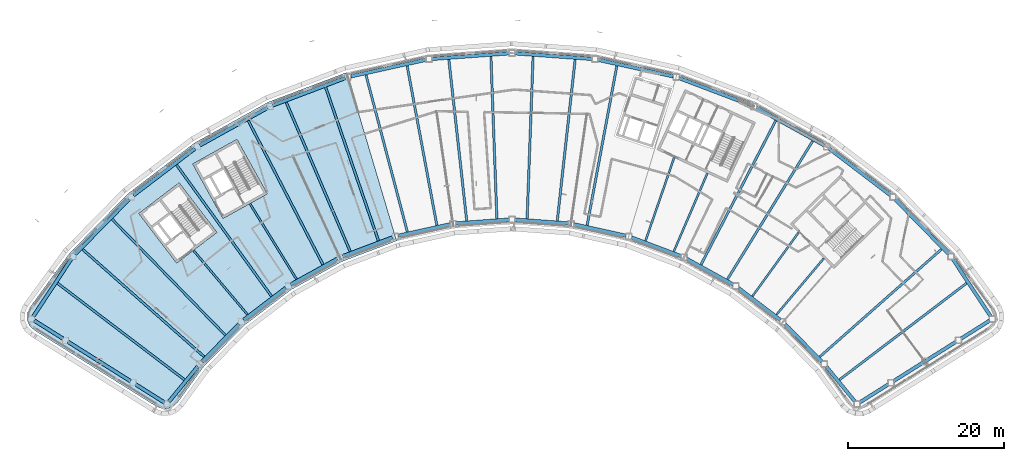
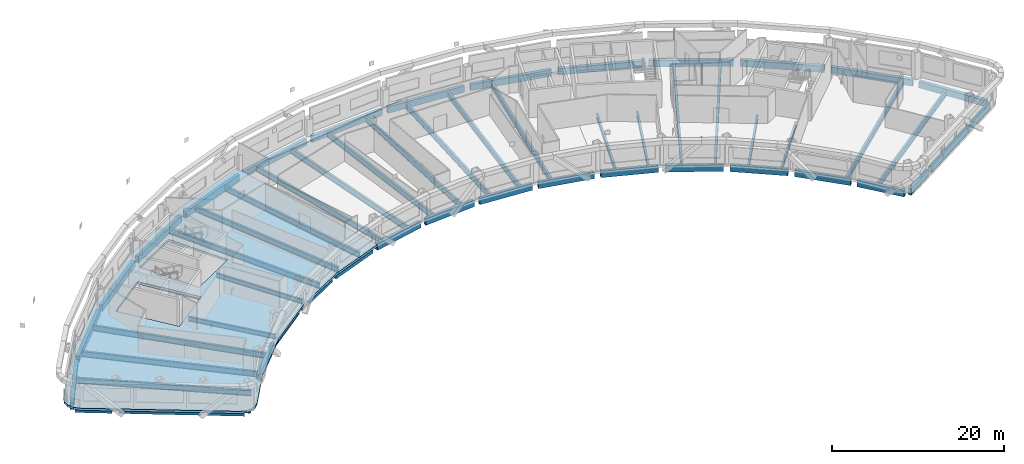
# One storey, part 3 of 21: 58 beams, 1 slab.
"""IFC4 building model written with IfcOpenShell, lengths in metres."""

from ifc_helpers import new_model, si_unit, direction, frame, origin, origin_2d, place, context, subcontext, project, spatial, polyline, hollow_rectangle, i_section, outline, extrude, material, layer, layer_set, material_profile, profile_set, type_object, element, save


model = new_model("IFC4")

# Units and contexts
model_context = context("Model", 3, precision=1e-05, world=origin(), true_north=direction((0.0, 1.0)))
body_context = subcontext(model_context, "Body", "Model", "MODEL_VIEW")
ifc_project = project(units=[si_unit("LENGTHUNIT", "METRE"), si_unit("AREAUNIT", "SQUARE_METRE"), si_unit("VOLUMEUNIT", "CUBIC_METRE"), si_unit("PLANEANGLEUNIT", "RADIAN"), si_unit("MASSUNIT", "GRAM", prefix="KILO")], contexts=[model_context])

# Site, building, storey
site_placement = place(None, origin())
site = spatial("IfcSite", under=ifc_project, at=site_placement, CompositionType="ELEMENT")
building_placement = place(site_placement, origin())
building = spatial("IfcBuilding", under=site, at=building_placement, Name="Tuul Gate Civic Tower", CompositionType="ELEMENT")
storey_placement = place(building_placement, frame((0.0, 0.0, 311.0)))
storey = spatial("IfcBuildingStorey", under=building, at=storey_placement, Name="Level 70", CompositionType="ELEMENT", Elevation=311.0)

# Beams
ifc_material_1 = material(Name="Steel S355", Category="steel")
ifc_material_profile_1 = material_profile(ifc_material_1, i_section(OverallWidth=0.25, OverallDepth=0.64990234375, WebThickness=0.011962890625, FlangeThickness=0.02001953125, at=origin_2d()), Name="PG650x250x12x20")
ifc_profile_set_1 = profile_set([ifc_material_profile_1], Name="Steel S355")
beam_type_1 = type_object("IfcBeamType", Name="STR-FLOOR BEAM-PG650x250x12x20", PredefinedType="BEAM", material=ifc_profile_set_1)
beam_1_placement = place(storey_placement, frame((40.746337890625, -24.341064453125, -0.625), z_axis=(0.644127784209, 0.764917902529, 0.0), x_axis=(-0.764917902529, 0.644127784209, 0.0)))
element("IfcBeam", 1, at=beam_1_placement, inside=storey, type_object=beam_type_1, Name="Floor beam", PredefinedType="BEAM", context=body_context, shape_type="SweptSolid", body=[
    extrude(i_section(OverallWidth=0.25, OverallDepth=0.64990234375, WebThickness=0.011962890625, FlangeThickness=0.02001953125, at=origin_2d()), origin(), (0.0, 0.0, 1.0), 9.443115234375),
])
beam_2_placement = place(storey_placement, frame((37.658203125, -21.989501953125, -0.625), z_axis=(0.586069159859, 0.810261031929, 0.0), x_axis=(-0.810261031929, 0.586069159859, 0.0)))
element("IfcBeam", 2, at=beam_2_placement, inside=storey, type_object=beam_type_1, Name="Floor beam", PredefinedType="BEAM", context=body_context, shape_type="SweptSolid", body=[
    extrude(i_section(OverallWidth=0.25, OverallDepth=0.64990234375, WebThickness=0.011962890625, FlangeThickness=0.02001953125, at=origin_2d()), origin(), (0.0, 0.0, 1.0), 10.103515625),
])
beam_3_placement = place(storey_placement, frame((27.564697265625, -16.229248046875, -0.625), z_axis=(0.394202182467, 0.919023742532, 0.0), x_axis=(-0.919023742532, 0.394202182467, 0.0)))
element("IfcBeam", 3, at=beam_3_placement, inside=storey, type_object=beam_type_1, Name="Floor beam", PredefinedType="BEAM", context=body_context, shape_type="SweptSolid", body=[
    extrude(i_section(OverallWidth=0.25, OverallDepth=0.64990234375, WebThickness=0.011962890625, FlangeThickness=0.02001953125, at=origin_2d()), origin(), (0.0, 0.0, 1.0), 10.93603515625),
])
beam_4_placement = place(storey_placement, frame((23.934326171875, -14.856689453125, -0.625), z_axis=(0.325475834629, 0.945550358824, 0.0), x_axis=(-0.945550358824, 0.325475834629, 0.0)))
element("IfcBeam", 4, at=beam_4_placement, inside=storey, type_object=beam_type_1, Name="Floor beam", PredefinedType="BEAM", context=body_context, shape_type="SweptSolid", body=[
    extrude(i_section(OverallWidth=0.25, OverallDepth=0.64990234375, WebThickness=0.011962890625, FlangeThickness=0.02001953125, at=origin_2d()), origin(), (0.0, 0.0, 1.0), 11.282958984375),
])
beam_5_placement = place(storey_placement, frame((-20.8779296875, -19.798828125, -0.625), z_axis=(-0.524859776805, 0.851188706864, 0.0), x_axis=(-0.851188706864, -0.524859776805, 0.0)))
element("IfcBeam", 5, at=beam_5_placement, inside=storey, type_object=beam_type_1, Name="Floor beam", PredefinedType="BEAM", context=body_context, shape_type="SweptSolid", body=[
    extrude(i_section(OverallWidth=0.25, OverallDepth=0.64990234375, WebThickness=0.011962890625, FlangeThickness=0.02001953125, at=origin_2d()), origin(), (0.0, 0.0, 1.0), 11.414306640625),
])
beam_6_placement = place(storey_placement, frame((-27.170166015625, -24.341064453125, -0.625), z_axis=(-0.644139926709, 0.764907677318, 0.0), x_axis=(-0.764907677318, -0.644139926709, 0.0)))
element("IfcBeam", 6, at=beam_6_placement, inside=storey, type_object=beam_type_1, Name="Floor beam", PredefinedType="BEAM", context=body_context, shape_type="SweptSolid", body=[
    extrude(i_section(OverallWidth=0.25, OverallDepth=0.64990234375, WebThickness=0.011962890625, FlangeThickness=0.02001953125, at=origin_2d()), origin(), (0.0, 0.0, 1.0), 10.7890625),
])
ifc_material_2 = material(Name="Steel S355", Category="steel")
ifc_material_profile_2 = material_profile(ifc_material_2, i_section(OverallWidth=0.300048828125, OverallDepth=0.800048828125, WebThickness=0.013916015625, FlangeThickness=0.02490234375, at=origin_2d()), Name="PG800x300x14x25")
ifc_profile_set_2 = profile_set([ifc_material_profile_2], Name="Steel S355")
beam_type_2 = type_object("IfcBeamType", Name="STR-FLOOR BEAM-PG800x300x14x25", PredefinedType="BEAM", material=ifc_profile_set_2)
beam_7_placement = place(storey_placement, frame((48.8427734375, -32.703857421875, -0.699951171875), z_axis=(0.796156676215, 0.60509052787, 0.0), x_axis=(-0.60509052787, 0.796156676215, 0.0)))
element("IfcBeam", 7, at=beam_7_placement, inside=storey, type_object=beam_type_2, Name="Floor beam", PredefinedType="BEAM", context=body_context, shape_type="SweptSolid", body=[
    extrude(i_section(OverallWidth=0.300048828125, OverallDepth=0.800048828125, WebThickness=0.013916015625, FlangeThickness=0.02490234375, at=origin_2d()), origin(), (0.0, 0.0, 1.0), 20.46240234375),
])
beam_8_placement = place(storey_placement, frame((46.3037109375, -29.759033203125, -0.699951171875), z_axis=(0.749453243269, 0.662057275584, 0.0), x_axis=(-0.662057275584, 0.749453243269, 0.0)))
element("IfcBeam", 8, at=beam_8_placement, inside=storey, type_object=beam_type_2, Name="Floor beam", PredefinedType="BEAM", context=body_context, shape_type="SweptSolid", body=[
    extrude(i_section(OverallWidth=0.300048828125, OverallDepth=0.800048828125, WebThickness=0.013916015625, FlangeThickness=0.02490234375, at=origin_2d()), origin(), (0.0, 0.0, 1.0), 20.828369140625),
])
beam_9_placement = place(storey_placement, frame((34.45458984375, -19.79833984375, -0.699951171875), z_axis=(0.524850193008, 0.851194616348, 0.0), x_axis=(-0.851194616348, 0.524850193008, 0.0)))
element("IfcBeam", 9, at=beam_9_placement, inside=storey, type_object=beam_type_2, Name="Floor beam", PredefinedType="BEAM", context=body_context, shape_type="SweptSolid", body=[
    extrude(i_section(OverallWidth=0.300048828125, OverallDepth=0.800048828125, WebThickness=0.013916015625, FlangeThickness=0.02490234375, at=origin_2d()), origin(), (0.0, 0.0, 1.0), 20.822021484375),
])
beam_10_placement = place(storey_placement, frame((31.0595703125, -17.9169921875, -0.699951171875), z_axis=(0.460777059353, 0.887515916237, 0.0), x_axis=(-0.887515916237, 0.460777059353, 0.0)))
element("IfcBeam", 10, at=beam_10_placement, inside=storey, type_object=beam_type_2, Name="Floor beam", PredefinedType="BEAM", context=body_context, shape_type="SweptSolid", body=[
    extrude(i_section(OverallWidth=0.300048828125, OverallDepth=0.800048828125, WebThickness=0.013916015625, FlangeThickness=0.02490234375, at=origin_2d()), origin(), (0.0, 0.0, 1.0), 20.8076171875),
])
beam_11_placement = place(storey_placement, frame((16.4365234375, -12.874755859375, -0.699951171875), z_axis=(0.183145230157, 0.983085868412, 0.0), x_axis=(-0.983085868412, 0.183145230157, 0.0)))
element("IfcBeam", 11, at=beam_11_placement, inside=storey, type_object=beam_type_2, Name="Floor beam", PredefinedType="BEAM", context=body_context, shape_type="SweptSolid", body=[
    extrude(i_section(OverallWidth=0.300048828125, OverallDepth=0.800048828125, WebThickness=0.013916015625, FlangeThickness=0.02490234375, at=origin_2d()), origin(), (0.0, 0.0, 1.0), 20.8115234375),
])
beam_12_placement = place(storey_placement, frame((12.599365234375, -12.294677734375, -0.699951171875), z_axis=(0.110286058964, 0.993899886909, 0.0), x_axis=(-0.993899886909, 0.110286058964, 0.0)))
element("IfcBeam", 12, at=beam_12_placement, inside=storey, type_object=beam_type_2, Name="Floor beam", PredefinedType="BEAM", context=body_context, shape_type="SweptSolid", body=[
    extrude(i_section(OverallWidth=0.300048828125, OverallDepth=0.800048828125, WebThickness=0.013916015625, FlangeThickness=0.02490234375, at=origin_2d()), origin(), (0.0, 0.0, 1.0), 20.8154296875),
])
beam_13_placement = place(storey_placement, frame((8.728515625, -12.01416015625, -0.699951171875), z_axis=(0.036832047042, 0.999321469954, 0.0), x_axis=(-0.999321469954, 0.036832047042, 0.0)))
element("IfcBeam", 13, at=beam_13_placement, inside=storey, type_object=beam_type_2, Name="Floor beam", PredefinedType="BEAM", context=body_context, shape_type="SweptSolid", body=[
    extrude(i_section(OverallWidth=0.300048828125, OverallDepth=0.800048828125, WebThickness=0.013916015625, FlangeThickness=0.02490234375, at=origin_2d()), origin(), (0.0, 0.0, 1.0), 20.8134765625),
])
beam_14_placement = place(storey_placement, frame((4.84765625, -12.013916015625, -0.699951171875), z_axis=(-0.036820764609, 0.999321885727, 0.0), x_axis=(-0.999321885727, -0.036820764609, 0.0)))
element("IfcBeam", 14, at=beam_14_placement, inside=storey, type_object=beam_type_2, Name="Floor beam", PredefinedType="BEAM", context=body_context, shape_type="SweptSolid", body=[
    extrude(i_section(OverallWidth=0.300048828125, OverallDepth=0.800048828125, WebThickness=0.013916015625, FlangeThickness=0.02490234375, at=origin_2d()), origin(), (0.0, 0.0, 1.0), 20.813232421875),
])
beam_15_placement = place(storey_placement, frame((0.976806640625, -12.294677734375, -0.699951171875), z_axis=(-0.110287344613, 0.993899744249, 0.0), x_axis=(-0.993899744249, -0.110287344613, 0.0)))
element("IfcBeam", 15, at=beam_15_placement, inside=storey, type_object=beam_type_2, Name="Floor beam", PredefinedType="BEAM", context=body_context, shape_type="SweptSolid", body=[
    extrude(i_section(OverallWidth=0.300048828125, OverallDepth=0.800048828125, WebThickness=0.013916015625, FlangeThickness=0.02490234375, at=origin_2d()), origin(), (0.0, 0.0, 1.0), 20.815185546875),
])
beam_16_placement = place(storey_placement, frame((-2.8603515625, -12.87451171875, -0.699951171875), z_axis=(-0.183149454547, 0.983085081414, 0.0), x_axis=(-0.983085081414, -0.183149454547, 0.0)))
element("IfcBeam", 16, at=beam_16_placement, inside=storey, type_object=beam_type_2, Name="Floor beam", PredefinedType="BEAM", context=body_context, shape_type="SweptSolid", body=[
    extrude(i_section(OverallWidth=0.300048828125, OverallDepth=0.800048828125, WebThickness=0.013916015625, FlangeThickness=0.02490234375, at=origin_2d()), origin(), (0.0, 0.0, 1.0), 20.81103515625),
])
beam_17_placement = place(storey_placement, frame((-6.650390625, -13.7099609375, -0.699951171875), z_axis=(-0.255007612054, 0.966939045542, 0.0), x_axis=(-0.966939045542, -0.255007612054, 0.0)))
element("IfcBeam", 17, at=beam_17_placement, inside=storey, type_object=beam_type_2, Name="Floor beam", PredefinedType="BEAM", context=body_context, shape_type="SweptSolid", body=[
    extrude(i_section(OverallWidth=0.300048828125, OverallDepth=0.800048828125, WebThickness=0.013916015625, FlangeThickness=0.02490234375, at=origin_2d()), origin(), (0.0, 0.0, 1.0), 20.8173828125),
])
beam_18_placement = place(storey_placement, frame((-10.358154296875, -14.856689453125, -0.699951171875), z_axis=(-0.325486974479, 0.945546524209, 0.0), x_axis=(-0.945546524209, -0.325486974479, 0.0)))
element("IfcBeam", 18, at=beam_18_placement, inside=storey, type_object=beam_type_2, Name="Floor beam", PredefinedType="BEAM", context=body_context, shape_type="SweptSolid", body=[
    extrude(i_section(OverallWidth=0.300048828125, OverallDepth=0.800048828125, WebThickness=0.013916015625, FlangeThickness=0.02490234375, at=origin_2d()), origin(), (0.0, 0.0, 1.0), 20.809326171875),
])
beam_19_placement = place(storey_placement, frame((-13.98828125, -16.2294921875, -0.699951171875), z_axis=(-0.39420232802, 0.9190236801, 0.0), x_axis=(-0.9190236801, -0.39420232802, 0.0)))
element("IfcBeam", 19, at=beam_19_placement, inside=storey, type_object=beam_type_2, Name="Floor beam", PredefinedType="BEAM", context=body_context, shape_type="SweptSolid", body=[
    extrude(i_section(OverallWidth=0.300048828125, OverallDepth=0.800048828125, WebThickness=0.013916015625, FlangeThickness=0.02490234375, at=origin_2d()), origin(), (0.0, 0.0, 1.0), 20.820068359375),
])
beam_20_placement = place(storey_placement, frame((-17.483154296875, -17.917236328125, -0.699951171875), z_axis=(-0.460781503105, 0.887513609133, 0.0), x_axis=(-0.887513609133, -0.460781503105, 0.0)))
element("IfcBeam", 20, at=beam_20_placement, inside=storey, type_object=beam_type_2, Name="Floor beam", PredefinedType="BEAM", context=body_context, shape_type="SweptSolid", body=[
    extrude(i_section(OverallWidth=0.300048828125, OverallDepth=0.800048828125, WebThickness=0.013916015625, FlangeThickness=0.02490234375, at=origin_2d()), origin(), (0.0, 0.0, 1.0), 20.807861328125),
])
beam_21_placement = place(storey_placement, frame((-24.081787109375, -21.98974609375, -0.699951171875), z_axis=(-0.586080778494, 0.810252627938, 0.0), x_axis=(-0.810252627938, -0.586080778494, 0.0)))
element("IfcBeam", 21, at=beam_21_placement, inside=storey, type_object=beam_type_2, Name="Floor beam", PredefinedType="BEAM", context=body_context, shape_type="SweptSolid", body=[
    extrude(i_section(OverallWidth=0.300048828125, OverallDepth=0.800048828125, WebThickness=0.013916015625, FlangeThickness=0.02490234375, at=origin_2d()), origin(), (0.0, 0.0, 1.0), 20.8056640625),
])
beam_22_placement = place(storey_placement, frame((-30.010498046875, -26.986572265625, -0.699951171875), z_axis=(-0.698690220921, 0.71542433226, 0.0), x_axis=(-0.71542433226, -0.698690220921, 0.0)))
element("IfcBeam", 22, at=beam_22_placement, inside=storey, type_object=beam_type_2, Name="Floor beam", PredefinedType="BEAM", context=body_context, shape_type="SweptSolid", body=[
    extrude(i_section(OverallWidth=0.300048828125, OverallDepth=0.800048828125, WebThickness=0.013916015625, FlangeThickness=0.02490234375, at=origin_2d()), origin(), (0.0, 0.0, 1.0), 20.804443359375),
])
beam_23_placement = place(storey_placement, frame((-32.7275390625, -29.759033203125, -0.699951171875), z_axis=(-0.749453243269, 0.662057275584, 0.0), x_axis=(-0.662057275584, -0.749453243269, 0.0)))
element("IfcBeam", 23, at=beam_23_placement, inside=storey, type_object=beam_type_2, Name="Floor beam", PredefinedType="BEAM", context=body_context, shape_type="SweptSolid", body=[
    extrude(i_section(OverallWidth=0.300048828125, OverallDepth=0.800048828125, WebThickness=0.013916015625, FlangeThickness=0.02490234375, at=origin_2d()), origin(), (0.0, 0.0, 1.0), 20.828369140625),
])
beam_24_placement = place(storey_placement, frame((-35.266845703125, -32.703857421875, -0.699951171875), z_axis=(-0.796146559843, 0.605103838403, 0.0), x_axis=(-0.605103838403, -0.796146559843, 0.0)))
element("IfcBeam", 24, at=beam_24_placement, inside=storey, type_object=beam_type_2, Name="Floor beam", PredefinedType="BEAM", context=body_context, shape_type="SweptSolid", body=[
    extrude(i_section(OverallWidth=0.300048828125, OverallDepth=0.800048828125, WebThickness=0.013916015625, FlangeThickness=0.02490234375, at=origin_2d()), origin(), (0.0, 0.0, 1.0), 20.46240234375),
])
ifc_material_3 = material(Name="Steel S355", Category="steel")
ifc_material_profile_3 = material_profile(ifc_material_3, hollow_rectangle(XDim=0.449951171875, YDim=0.89990234375, WallThickness=0.02490234375, at=origin_2d()), Name="BOX900x450x25")
ifc_profile_set_3 = profile_set([ifc_material_profile_3], Name="Steel S355")
beam_type_3 = type_object("IfcBeamType", Name="STR-SPANDREL BEAM-BOX900x450x25", PredefinedType="BEAM", material=ifc_profile_set_3)
beam_25_placement = place(storey_placement, frame((68.23828125, -24.5634765625, -0.75), z_axis=(-0.551580803008, 0.834121464628, 0.0), x_axis=(-0.834121464628, -0.551580803008, 0.0)))
element("IfcBeam", 25, at=beam_25_placement, inside=storey, type_object=beam_type_3, Name="Spandrel beam", PredefinedType="BEAM", context=body_context, shape_type="SweptSolid", body=[
    extrude(hollow_rectangle(XDim=0.449951171875, YDim=0.89990234375, WallThickness=0.02490234375, at=origin_2d()), origin(), (0.0, 0.0, 1.0), 8.806884765625),
])
for number, where, z_axis, x_axis, name in (
    (26, (62.8798828125, -16.598388671875, -0.75), (-0.699989605726, 0.714153031132, 0.0), (-0.714153031132, -0.699989605726, 0.0), "Spandrel beam"),
    (27, (55.36767578125, -9.0166015625, -0.75), (-0.795624601098, 0.605789975261, 0.0), (-0.605789975261, -0.795624601098, 0.0), "Spandrel beam"),
):
    element("IfcBeam", number, at=place(storey_placement, frame(where, z_axis=z_axis, x_axis=x_axis)), inside=storey, type_object=beam_type_3, Name=name, PredefinedType="BEAM", context=body_context, shape_type="SweptSolid", body=[
        extrude(hollow_rectangle(XDim=0.449951171875, YDim=0.89990234375, WallThickness=0.02490234375, at=origin_2d()), origin(), (0.0, 0.0, 1.0), 9.876953125),
    ])
beam_26_placement = place(storey_placement, frame((46.841064453125, -2.59716796875, -0.75), z_axis=(-0.874638363012, 0.484775962634, 0.0), x_axis=(-0.484775962634, -0.874638363012, 0.0)))
element("IfcBeam", 28, at=beam_26_placement, inside=storey, type_object=beam_type_3, Name="Spandrel beam", PredefinedType="BEAM", context=body_context, shape_type="SweptSolid", body=[
    extrude(hollow_rectangle(XDim=0.449951171875, YDim=0.89990234375, WallThickness=0.02490234375, at=origin_2d()), origin(), (0.0, 0.0, 1.0), 9.87744140625),
])
for number, where, z_axis, x_axis, name in (
    (29, (37.477783203125, 2.526611328125, -0.75), (-0.935345282805, 0.353736062531, 0.0), (-0.353736062531, -0.935345282805, 0.0), "Spandrel beam"),
    (30, (27.474365234375, 6.248046875, -0.75), (-0.976561301206, 0.21523945964, 0.0), (-0.21523945964, -0.976561301206, 0.0), "Spandrel beam"),
):
    element("IfcBeam", number, at=place(storey_placement, frame(where, z_axis=z_axis, x_axis=x_axis)), inside=storey, type_object=beam_type_3, Name=name, PredefinedType="BEAM", context=body_context, shape_type="SweptSolid", body=[
        extrude(hollow_rectangle(XDim=0.449951171875, YDim=0.89990234375, WallThickness=0.02490234375, at=origin_2d()), origin(), (0.0, 0.0, 1.0), 9.877197265625),
    ])
beam_27_placement = place(storey_placement, frame((17.0390625, 8.489013671875, -0.75), z_axis=(-0.997383375636, 0.072293858694, 0.0), x_axis=(-0.072293858694, -0.997383375636, 0.0)))
element("IfcBeam", 31, at=beam_27_placement, inside=storey, type_object=beam_type_3, Name="Spandrel beam", PredefinedType="BEAM", context=body_context, shape_type="SweptSolid", body=[
    extrude(hollow_rectangle(XDim=0.449951171875, YDim=0.89990234375, WallThickness=0.02490234375, at=origin_2d()), origin(), (0.0, 0.0, 1.0), 9.8779296875),
])
for number, where, z_axis, x_axis, name in (
    (32, (6.38916015625, 9.203125, -0.75), (-0.997382988068, -0.072299205474, 0.0), (0.072299205474, -0.997382988068, 0.0), "Spandrel beam"),
    (33, (-4.251708984375, 8.3740234375, -0.75), (-0.976561301206, -0.21523945964, 0.0), (0.21523945964, -0.976561301206, 0.0), "Spandrel beam"),
):
    element("IfcBeam", number, at=place(storey_placement, frame(where, z_axis=z_axis, x_axis=x_axis)), inside=storey, type_object=beam_type_3, Name=name, PredefinedType="BEAM", context=body_context, shape_type="SweptSolid", body=[
        extrude(hollow_rectangle(XDim=0.449951171875, YDim=0.89990234375, WallThickness=0.02490234375, at=origin_2d()), origin(), (0.0, 0.0, 1.0), 9.877197265625),
    ])
beam_28_placement = place(storey_placement, frame((-14.662109375, 6.0205078125, -0.75), z_axis=(-0.935352568022, -0.353716798434, 0.0), x_axis=(0.353716798434, -0.935352568022, 0.0)))
element("IfcBeam", 34, at=beam_28_placement, inside=storey, type_object=beam_type_3, Name="Spandrel beam", PredefinedType="BEAM", context=body_context, shape_type="SweptSolid", body=[
    extrude(hollow_rectangle(XDim=0.449951171875, YDim=0.89990234375, WallThickness=0.02490234375, at=origin_2d()), origin(), (0.0, 0.0, 1.0), 9.87841796875),
])
beam_29_placement = place(storey_placement, frame((-24.625732421875, 2.191162109375, -0.75), z_axis=(-0.874620935206, -0.484807404748, 0.0), x_axis=(0.484807404748, -0.874620935206, 0.0)))
element("IfcBeam", 35, at=beam_29_placement, inside=storey, type_object=beam_type_3, Name="Spandrel beam", PredefinedType="BEAM", context=body_context, shape_type="SweptSolid", body=[
    extrude(hollow_rectangle(XDim=0.449951171875, YDim=0.89990234375, WallThickness=0.02490234375, at=origin_2d()), origin(), (0.0, 0.0, 1.0), 9.876708984375),
])
beam_30_placement = place(storey_placement, frame((-33.932373046875, -3.033203125, -0.75), z_axis=(-0.795624601098, -0.605789975261, 0.0), x_axis=(0.605789975261, -0.795624601098, 0.0)))
element("IfcBeam", 36, at=beam_30_placement, inside=storey, type_object=beam_type_3, Name="Spandrel beam", PredefinedType="BEAM", context=body_context, shape_type="SweptSolid", body=[
    extrude(hollow_rectangle(XDim=0.449951171875, YDim=0.89990234375, WallThickness=0.02490234375, at=origin_2d()), origin(), (0.0, 0.0, 1.0), 9.876953125),
])
beam_31_placement = place(storey_placement, frame((-42.388916015625, -9.544677734375, -0.75), z_axis=(-0.700052630296, -0.714091251042, 0.0), x_axis=(0.714091251042, -0.700052630296, 0.0)))
element("IfcBeam", 37, at=beam_31_placement, inside=storey, type_object=beam_type_3, Name="Spandrel beam", PredefinedType="BEAM", context=body_context, shape_type="SweptSolid", body=[
    extrude(hollow_rectangle(XDim=0.449951171875, YDim=0.89990234375, WallThickness=0.02490234375, at=origin_2d()), origin(), (0.0, 0.0, 1.0), 9.8779296875),
])
beam_32_placement = place(storey_placement, frame((-49.8046875, -17.217529296875, -0.75), z_axis=(-0.551580803008, -0.834121464628, 0.0), x_axis=(0.834121464628, -0.551580803008, 0.0)))
element("IfcBeam", 38, at=beam_32_placement, inside=storey, type_object=beam_type_3, Name="Spandrel beam", PredefinedType="BEAM", context=body_context, shape_type="SweptSolid", body=[
    extrude(hollow_rectangle(XDim=0.449951171875, YDim=0.89990234375, WallThickness=0.02490234375, at=origin_2d()), origin(), (0.0, 0.0, 1.0), 8.806884765625),
])
beam_33_placement = place(storey_placement, frame((-54.54443359375, -25.110107421875, -0.75), z_axis=(0.846271424817, -0.532751983138, 0.0), x_axis=(0.532751983138, 0.846271424817, 0.0)))
element("IfcBeam", 39, at=beam_33_placement, inside=storey, type_object=beam_type_3, Name="Spandrel beam", PredefinedType="BEAM", context=body_context, shape_type="SweptSolid", body=[
    extrude(hollow_rectangle(XDim=0.449951171875, YDim=0.89990234375, WallThickness=0.02490234375, at=origin_2d()), origin(), (0.0, 0.0, 1.0), 4.33203125),
])
beam_34_placement = place(storey_placement, frame((-50.201416015625, -27.84423828125, -0.75), z_axis=(0.84620354352, -0.532859796695, 0.0), x_axis=(0.532859796695, 0.84620354352, 0.0)))
element("IfcBeam", 40, at=beam_34_placement, inside=storey, type_object=beam_type_3, Name="Spandrel beam", PredefinedType="BEAM", context=body_context, shape_type="SweptSolid", body=[
    extrude(hollow_rectangle(XDim=0.449951171875, YDim=0.89990234375, WallThickness=0.02490234375, at=origin_2d()), origin(), (0.0, 0.0, 1.0), 9.463623046875),
])
beam_35_placement = place(storey_placement, frame((-41.5166015625, -33.313232421875, -0.75), z_axis=(0.84613117079, -0.532974710298, 0.0), x_axis=(0.532974710298, 0.84613117079, 0.0)))
element("IfcBeam", 41, at=beam_35_placement, inside=storey, type_object=beam_type_3, Name="Spandrel beam", PredefinedType="BEAM", context=body_context, shape_type="SweptSolid", body=[
    extrude(hollow_rectangle(XDim=0.449951171875, YDim=0.89990234375, WallThickness=0.02490234375, at=origin_2d()), origin(), (0.0, 0.0, 1.0), 4.33154296875),
])
beam_36_placement = place(storey_placement, frame((-37.25927734375, -35.52587890625, -0.75), z_axis=(0.63438437654, 0.773017763574, 0.0), x_axis=(-0.773017763574, 0.63438437654, 0.0)))
element("IfcBeam", 42, at=beam_36_placement, inside=storey, type_object=beam_type_3, Name="Spandrel beam", PredefinedType="BEAM", context=body_context, shape_type="SweptSolid", body=[
    extrude(hollow_rectangle(XDim=0.449951171875, YDim=0.89990234375, WallThickness=0.02490234375, at=origin_2d()), origin(), (0.0, 0.0, 1.0), 5.85205078125),
])
beam_37_placement = place(storey_placement, frame((-33.012939453125, -30.4072265625, -0.75), z_axis=(0.69995351943, 0.71418839996, 0.0), x_axis=(-0.71418839996, 0.69995351943, 0.0)))
element("IfcBeam", 43, at=beam_37_placement, inside=storey, type_object=beam_type_3, Name="Spandrel beam", PredefinedType="BEAM", context=body_context, shape_type="SweptSolid", body=[
    extrude(hollow_rectangle(XDim=0.449951171875, YDim=0.89990234375, WallThickness=0.02490234375, at=origin_2d()), origin(), (0.0, 0.0, 1.0), 6.791748046875),
])
beam_38_placement = place(storey_placement, frame((-27.66064453125, -25.02880859375, -0.75), z_axis=(0.795648671747, 0.605758360361, 0.0), x_axis=(-0.605758360361, 0.795648671747, 0.0)))
element("IfcBeam", 44, at=beam_38_placement, inside=storey, type_object=beam_type_3, Name="Spandrel beam", PredefinedType="BEAM", context=body_context, shape_type="SweptSolid", body=[
    extrude(hollow_rectangle(XDim=0.449951171875, YDim=0.89990234375, WallThickness=0.02490234375, at=origin_2d()), origin(), (0.0, 0.0, 1.0), 6.792236328125),
])
beam_39_placement = place(storey_placement, frame((-21.588134765625, -20.47802734375, -0.75), z_axis=(0.87464856826, 0.484757549751, 0.0), x_axis=(-0.484757549751, 0.87464856826, 0.0)))
element("IfcBeam", 45, at=beam_39_placement, inside=storey, type_object=beam_type_3, Name="Spandrel beam", PredefinedType="BEAM", context=body_context, shape_type="SweptSolid", body=[
    extrude(hollow_rectangle(XDim=0.449951171875, YDim=0.89990234375, WallThickness=0.02490234375, at=origin_2d()), origin(), (0.0, 0.0, 1.0), 6.79150390625),
])
beam_40_placement = place(storey_placement, frame((-14.923828125, -16.8505859375, -0.75), z_axis=(0.935348956807, 0.35372634762, 0.0), x_axis=(-0.35372634762, 0.935348956807, 0.0)))
element("IfcBeam", 46, at=beam_40_placement, inside=storey, type_object=beam_type_3, Name="Spandrel beam", PredefinedType="BEAM", context=body_context, shape_type="SweptSolid", body=[
    extrude(hollow_rectangle(XDim=0.449951171875, YDim=0.89990234375, WallThickness=0.02490234375, at=origin_2d()), origin(), (0.0, 0.0, 1.0), 6.790771484375),
])
for number, where, z_axis, x_axis, name in (
    (47, (-7.807373046875, -14.220947265625, -0.75), (0.976561119915, 0.215240282172, 0.0), (-0.215240282172, 0.976561119915, 0.0), "Spandrel beam"),
    (48, (-0.385009765625, -12.64404296875, -0.75), (0.997381302407, 0.072322455777, 0.0), (-0.072322455777, 0.997381302407, 0.0), "Spandrel beam"),
):
    element("IfcBeam", number, at=place(storey_placement, frame(where, z_axis=z_axis, x_axis=x_axis)), inside=storey, type_object=beam_type_3, Name=name, PredefinedType="BEAM", context=body_context, shape_type="SweptSolid", body=[
        extrude(hollow_rectangle(XDim=0.449951171875, YDim=0.89990234375, WallThickness=0.02490234375, at=origin_2d()), origin(), (0.0, 0.0, 1.0), 6.7919921875),
    ])
for number, where, z_axis, x_axis, name in (
    (49, (7.18701171875, -12.15283203125, -0.75), (0.997381114382, -0.072325048733, 0.0), (0.072325048733, 0.997381114382, 0.0), "Spandrel beam"),
    (50, (14.750732421875, -12.759033203125, -0.75), (0.976559454542, -0.215247837958, 0.0), (0.215247837958, 0.976559454542, 0.0), "Spandrel beam"),
):
    element("IfcBeam", number, at=place(storey_placement, frame(where, z_axis=z_axis, x_axis=x_axis)), inside=storey, type_object=beam_type_3, Name=name, PredefinedType="BEAM", context=body_context, shape_type="SweptSolid", body=[
        extrude(hollow_rectangle(XDim=0.449951171875, YDim=0.89990234375, WallThickness=0.02490234375, at=origin_2d()), origin(), (0.0, 0.0, 1.0), 6.791748046875),
    ])
for number, where, z_axis, x_axis, name in (
    (51, (22.148193359375, -14.448486328125, -0.75), (0.935362449754, -0.353690666531, 0.0), (0.353690666531, 0.935362449754, 0.0), "Spandrel beam"),
    (52, (29.224853515625, -17.185791015625, -0.75), (0.87464856826, -0.484757549751, 0.0), (0.484757549751, 0.87464856826, 0.0), "Spandrel beam"),
    (53, (35.833251953125, -20.914306640625, -0.75), (0.795626424775, -0.605787580098, 0.0), (0.605787580098, 0.795626424775, 0.0), "Spandrel beam"),
):
    element("IfcBeam", number, at=place(storey_placement, frame(where, z_axis=z_axis, x_axis=x_axis)), inside=storey, type_object=beam_type_3, Name=name, PredefinedType="BEAM", context=body_context, shape_type="SweptSolid", body=[
        extrude(hollow_rectangle(XDim=0.449951171875, YDim=0.89990234375, WallThickness=0.02490234375, at=origin_2d()), origin(), (0.0, 0.0, 1.0), 6.79150390625),
    ])
beam_41_placement = place(storey_placement, frame((41.8349609375, -25.556640625, -0.75), z_axis=(0.699971853877, -0.714170430485, 0.0), x_axis=(0.714170430485, 0.699971853877, 0.0)))
element("IfcBeam", 54, at=beam_41_placement, inside=storey, type_object=beam_type_3, Name="Spandrel beam", PredefinedType="BEAM", context=body_context, shape_type="SweptSolid", body=[
    extrude(hollow_rectangle(XDim=0.449951171875, YDim=0.89990234375, WallThickness=0.02490234375, at=origin_2d()), origin(), (0.0, 0.0, 1.0), 6.7919921875),
])
beam_42_placement = place(storey_placement, frame((47.122802734375, -31.002197265625, -0.75), z_axis=(0.63438437654, -0.773017763574, 0.0), x_axis=(0.773017763574, 0.63438437654, 0.0)))
element("IfcBeam", 55, at=beam_42_placement, inside=storey, type_object=beam_type_3, Name="Spandrel beam", PredefinedType="BEAM", context=body_context, shape_type="SweptSolid", body=[
    extrude(hollow_rectangle(XDim=0.449951171875, YDim=0.89990234375, WallThickness=0.02490234375, at=origin_2d()), origin(), (0.0, 0.0, 1.0), 5.85205078125),
])
beam_43_placement = place(storey_placement, frame((51.427490234375, -35.621826171875, -0.75), z_axis=(0.846195195567, 0.532873053362, 0.0), x_axis=(-0.532873053362, 0.846195195567, 0.0)))
element("IfcBeam", 56, at=beam_43_placement, inside=storey, type_object=beam_type_3, Name="Spandrel beam", PredefinedType="BEAM", context=body_context, shape_type="SweptSolid", body=[
    extrude(hollow_rectangle(XDim=0.449951171875, YDim=0.89990234375, WallThickness=0.02490234375, at=origin_2d()), origin(), (0.0, 0.0, 1.0), 4.332275390625),
])
beam_44_placement = place(storey_placement, frame((55.7705078125, -32.886962890625, -0.75), z_axis=(0.84620354352, 0.532859796695, 0.0), x_axis=(-0.532859796695, 0.84620354352, 0.0)))
element("IfcBeam", 57, at=beam_44_placement, inside=storey, type_object=beam_type_3, Name="Spandrel beam", PredefinedType="BEAM", context=body_context, shape_type="SweptSolid", body=[
    extrude(hollow_rectangle(XDim=0.449951171875, YDim=0.89990234375, WallThickness=0.02490234375, at=origin_2d()), origin(), (0.0, 0.0, 1.0), 9.463623046875),
])
beam_45_placement = place(storey_placement, frame((64.45556640625, -27.41796875, -0.75), z_axis=(0.846207423362, 0.532853635295, 0.0), x_axis=(-0.532853635295, 0.846207423362, 0.0)))
element("IfcBeam", 58, at=beam_45_placement, inside=storey, type_object=beam_type_3, Name="Spandrel beam", PredefinedType="BEAM", context=body_context, shape_type="SweptSolid", body=[
    extrude(hollow_rectangle(XDim=0.449951171875, YDim=0.89990234375, WallThickness=0.02490234375, at=origin_2d()), origin(), (0.0, 0.0, 1.0), 4.3310546875),
])

# Slab
ifc_material_4 = material(Name="Concrete C35/45", Category="concrete")
ifc_layer = layer(ifc_material_4, 0.300048828125)
ifc_layer_set = layer_set([ifc_layer], Name="Concrete C35/45")
slab_type = type_object("IfcSlabType", Name="STR-FLOOR-SLAB-300", PredefinedType="FLOOR", material=ifc_layer_set)
slab_placement = place(storey_placement, frame((0.0, 0.0, -0.300048828125)))
element("IfcSlab", 59, at=slab_placement, inside=storey, type_object=slab_type, Name="Level 70/slab/W", PredefinedType="FLOOR", context=body_context, shape_type="SweptSolid", body=[
    extrude(outline(polyline([(-8.02587890625, -14.883056640625), (-14.4599609375, 6.739013671875), (-24.528076171875, 2.930908203125), (-33.943115234375, -2.287109375), (-42.507080078125, -8.80810546875), (-50.04296875, -16.4951171875), (-55.123046875, -23.451904296875), (-55.4599609375, -24.195068359375), (-55.471923828125, -25.010009765625), (-55.156982421875, -25.762939453125), (-54.568115234375, -26.326904296875), (-38.837890625, -36.156005859375), (-38.14404296875, -36.427001953125), (-37.39892578125, -36.424072265625), (-36.70703125, -36.14892578125), (-36.1630859375, -35.639892578125), (-32.833984375, -31.08203125), (-27.580078125, -25.721923828125), (-21.60888671875, -21.176025390625), (-15.0458984375, -17.5380859375), (-8.02587890625, -14.883056640625)]), holes=[polyline([(-31.10009765625, -13.7890625), (-36.27197265625, -17.72705078125), (-41.117919921875, -11.362060546875), (-35.946044921875, -7.424072265625), (-31.10009765625, -13.7890625)]), polyline([(-24.638916015625, -8.846923828125), (-30.323974609375, -11.998046875), (-34.201904296875, -5.0009765625), (-28.51708984375, -1.85009765625), (-24.638916015625, -8.846923828125)])]), origin(), (0.0, 0.0, 1.0), 0.300048828125),
])

save(model, "model.ifc")
